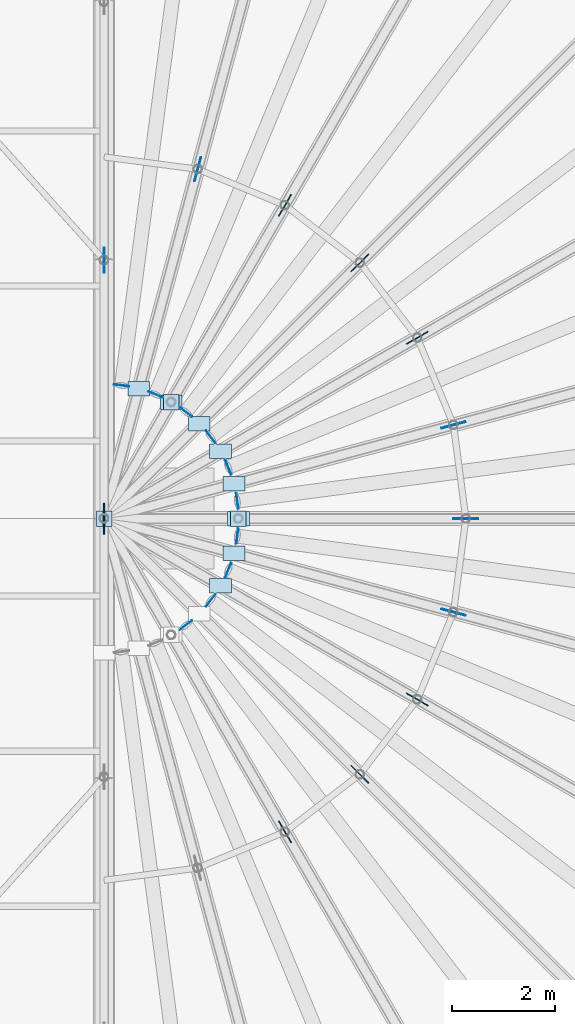
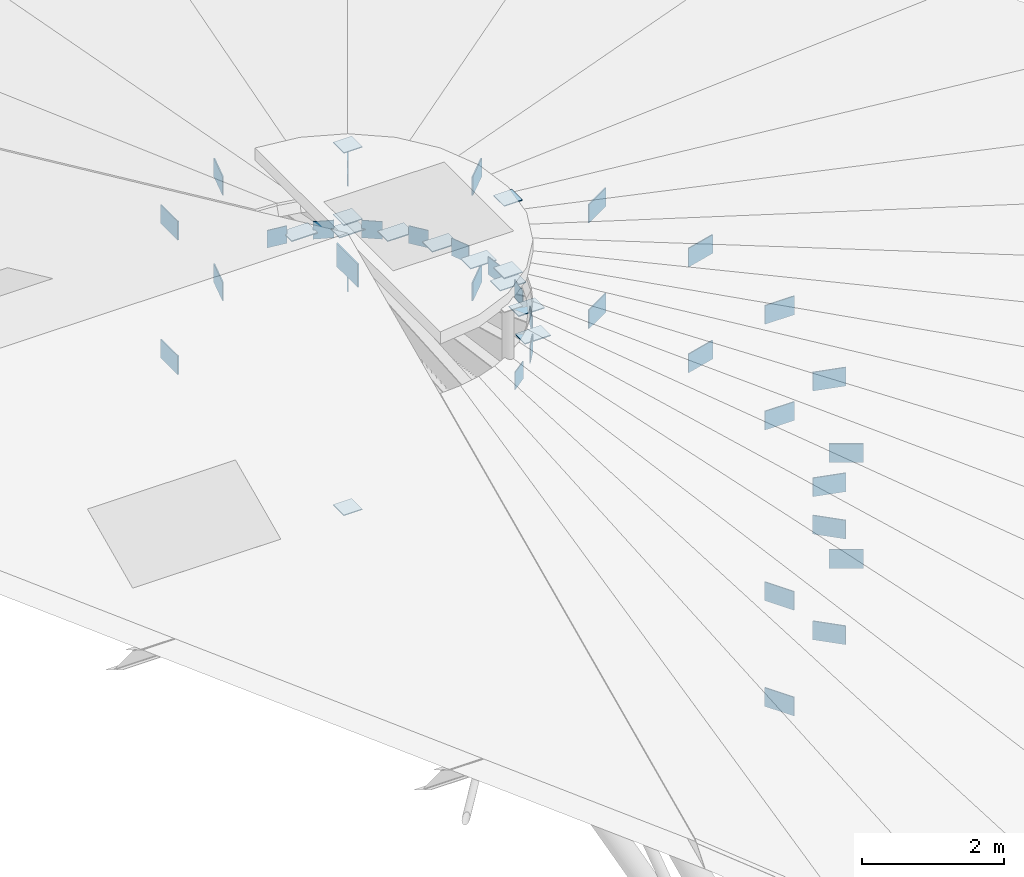
# One storey, part 93 of 107: 46 plates.
"""IFC4 building model written with IfcOpenShell, lengths in metres."""

from ifc_helpers import new_model, si_unit, derived_unit, direction, frame, origin, origin_2d, place, context, subcontext, project, spatial, rectangle, extrude, material, layer, layer_set, type_object, element, save


model = new_model("IFC4")

# Units and contexts
model_context = context("Model", 3, precision=1e-05, world=origin(), true_north=direction((0.0, 1.0)))
body_context = subcontext(model_context, "Body", "Model", "MODEL_VIEW")
ifc_project = project(units=[si_unit("LENGTHUNIT", "METRE"), si_unit("AREAUNIT", "SQUARE_METRE"), si_unit("VOLUMEUNIT", "CUBIC_METRE"), si_unit("PLANEANGLEUNIT", "RADIAN"), si_unit("MASSUNIT", "GRAM", prefix="KILO"), si_unit("THERMODYNAMICTEMPERATUREUNIT", "KELVIN"), si_unit("TIMEUNIT", "SECOND"), derived_unit("THERMALTRANSMITTANCEUNIT", [(si_unit("MASSUNIT", "GRAM", prefix="KILO"), 1), (si_unit("THERMODYNAMICTEMPERATUREUNIT", "KELVIN"), -1), (si_unit("TIMEUNIT", "SECOND"), -3)])], contexts=[model_context])

# Site, building, storey
site_placement = place(None, origin())
site = spatial("IfcSite", under=ifc_project, at=site_placement, CompositionType="ELEMENT")
building_placement = place(site_placement, origin())
building = spatial("IfcBuilding", under=site, at=building_placement, Name="Cambertide Market Hall", CompositionType="ELEMENT")
storey_placement = place(building_placement, frame((0.0, 0.0, 18.300048828125)))
storey = spatial("IfcBuildingStorey", under=building, at=storey_placement, Name="RF", CompositionType="ELEMENT", Elevation=18.300048828125)

# Plates
ifc_material_1 = material(Name="Steel S355", Category="steel")
ifc_layer_1 = layer(ifc_material_1, 0.013916015625, Name="Steel End Cap Plate EC-02")
ifc_layer_set_1 = layer_set([ifc_layer_1], Name="Steel S355")
plate_type_1 = type_object("IfcPlateType", Name="Steel End Cap Plate EC-02", PredefinedType="USERDEFINED", material=ifc_layer_set_1)
for number, where, z_axis, x_axis, name in (
    (1, (106.582763671875, 69.937255859375, -1.6962890625), (0.0, 0.0, 1.0), (0.608761429009, -0.793353340291, 0.0), "Crown Rafter End Cap Plate E-05"),
    (2, (107.062744140625, 70.417236328125, -1.6962890625), (0.0, 0.0, 1.0), (0.793353340291, -0.608761429009, 0.0), "Crown Rafter End Cap Plate E-07"),
    (3, (107.402099609375, 71.005126953125, -1.6962890625), (0.0, 0.0, 1.0), (0.923879532511, -0.382683432365, 0.0), "Crown Rafter End Cap Plate E-09"),
    (4, (107.57763671875, 71.66064453125, -1.6962890625), (0.0, 0.0, 1.0), (0.991444861374, -0.13052619222, 0.0), "Crown Rafter End Cap Plate E-11"),
    (5, (107.57763671875, 72.33935546875, -1.6962890625), (0.0, 0.0, 1.0), (0.991444861374, 0.13052619222, 0.0), "Crown Rafter End Cap Plate E-13"),
    (6, (107.402099609375, 72.994873046875, -1.6962890625), (0.0, 0.0, 1.0), (0.923879532511, 0.382683432365, 0.0), "Crown Rafter End Cap Plate E-15"),
    (7, (107.062744140625, 73.582763671875, -1.6962890625), (0.0, 0.0, 1.0), (0.793353340291, 0.608761429009, 0.0), "Crown Rafter End Cap Plate E-17"),
    (8, (106.582763671875, 74.062744140625, -1.6962890625), (0.0, 0.0, 1.0), (0.608761429009, 0.793353340291, 0.0), "Crown Rafter End Cap Plate E-19"),
    (9, (105.994873046875, 74.402099609375, -1.6962890625), (0.0, 0.0, 1.0), (0.382683432365, 0.923879532511, 0.0), "Crown Rafter End Cap Plate E-21"),
    (10, (105.33935546875, 74.57763671875, -1.6962890625), (0.0, 0.0, 1.0), (0.13052619222, 0.991444861374, 0.0), "Crown Rafter End Cap Plate E-23"),
):
    element("IfcPlate", number, at=place(storey_placement, frame(where, z_axis=z_axis, x_axis=x_axis)), inside=storey, type_object=plate_type_1, Name=name, ObjectType="END CAP PLATE", PredefinedType="USERDEFINED", context=body_context, shape_type="SweptSolid", body=[
        extrude(rectangle(XDim=0.013916015625, YDim=0.300048828125, at=origin_2d()), origin(), (0.0, 0.0, 1.0), 0.300048828125),
    ])
for number, where, z_axis, x_axis, name in (
    (11, (105.0, 72.0, -4.5068359375), (0.0, 0.0, 1.0), (1.0, 0.0, 0.0), "High-Bay Brace Connection End Cap Plate EC-BRN-087"),
    (12, (107.60009765625, 72.0, -1.35302734375), (0.0, 0.0, 1.0), (1.0, 0.0, 0.0), "High-Bay Brace Connection End Cap Plate EC-BRN-229"),
    (13, (107.60009765625, 72.0, -0.1171875), (0.0, 0.0, 1.0), (1.0, 0.0, 0.0), "High-Bay Brace Connection End Cap Plate EC-BRN-230"),
    (14, (106.300048828125, 74.251708984375, -1.35302734375), (0.0, 0.0, 1.0), (1.0, 0.0, 0.0), "High-Bay Brace Connection End Cap Plate EC-BRN-231"),
    (15, (106.300048828125, 74.251708984375, -0.1171875), (0.0, 0.0, 1.0), (1.0, 0.0, 0.0), "High-Bay Brace Connection End Cap Plate EC-BRN-232"),
):
    element("IfcPlate", number, at=place(storey_placement, frame(where, z_axis=z_axis, x_axis=x_axis)), inside=storey, type_object=plate_type_1, Name=name, ObjectType="END CAP PLATE", PredefinedType="USERDEFINED", context=body_context, shape_type="SweptSolid", body=[
        extrude(rectangle(XDim=0.300048828125, YDim=0.300048828125, at=origin_2d()), origin(), (0.0, 0.0, 1.0), 0.013916015625),
    ])
ifc_material_2 = material(Name="Steel S355", Category="steel")
ifc_layer_2 = layer(ifc_material_2, 0.01806640625, Name="Steel Gusset Plate GP-02")
ifc_layer_set_2 = layer_set([ifc_layer_2], Name="Steel S355")
plate_type_2 = type_object("IfcPlateType", Name="Steel Gusset Plate GP-02", PredefinedType="USERDEFINED", material=ifc_layer_set_2)
plate_1_placement = place(storey_placement, frame((105.0, 77.0, -2.81005859375), z_axis=(0.0, 0.0, 1.0), x_axis=(1.0, 0.0, 0.0)))
element("IfcPlate", 16, at=plate_1_placement, inside=storey, type_object=plate_type_2, Name="Arch Truss 8 Node Gusset Plate 5", ObjectType="GUSSET PLATE", PredefinedType="USERDEFINED", context=body_context, shape_type="SweptSolid", body=[
    extrude(rectangle(XDim=0.01806640625, YDim=0.47998046875, at=origin_2d()), origin(), (0.0, 0.0, 1.0), 0.320068359375),
])
for number, where, z_axis, x_axis, name in (
    (17, (105.0, 77.0, -5.115234375), (0.0, 0.0, 1.0), (0.0, 1.0, 0.0), "High-Bay Brace Connection Gusset Plate GP-BRN-082"),
    (18, (108.5, 65.937744140625, -5.54150390625), (0.0, 0.0, 1.0), (-0.5, 0.866025403784, 0.0), "High-Bay Brace Connection Gusset Plate GP-BRN-167"),
    (19, (108.5, 65.937744140625, -3.72998046875), (0.0, 0.0, 1.0), (-0.5, 0.866025403784, 0.0), "High-Bay Brace Connection Gusset Plate GP-BRN-169"),
    (20, (109.94970703125, 67.05029296875, -5.54150390625), (0.0, 0.0, 1.0), (-0.707106781187, 0.707106781187, 0.0), "High-Bay Brace Connection Gusset Plate GP-BRN-173"),
    (21, (109.94970703125, 67.05029296875, -3.72998046875), (0.0, 0.0, 1.0), (-0.707106781187, 0.707106781187, 0.0), "High-Bay Brace Connection Gusset Plate GP-BRN-175"),
    (22, (111.062255859375, 68.5, -5.54150390625), (0.0, 0.0, 1.0), (-0.866025403784, 0.5, 0.0), "High-Bay Brace Connection Gusset Plate GP-BRN-179"),
    (23, (111.062255859375, 68.5, -3.72998046875), (0.0, 0.0, 1.0), (-0.866025403784, 0.5, 0.0), "High-Bay Brace Connection Gusset Plate GP-BRN-181"),
    (24, (111.761474609375, 70.188232421875, -5.54150390625), (0.0, 0.0, 1.0), (-0.965925826289, 0.258819045103, 0.0), "High-Bay Brace Connection Gusset Plate GP-BRN-185"),
    (25, (111.761474609375, 70.188232421875, -3.72998046875), (0.0, 0.0, 1.0), (-0.965925826289, 0.258819045103, 0.0), "High-Bay Brace Connection Gusset Plate GP-BRN-187"),
    (26, (112.0, 72.0, -5.54150390625), (0.0, 0.0, 1.0), (-1.0, 0.0, 0.0), "High-Bay Brace Connection Gusset Plate GP-BRN-191"),
    (27, (112.0, 72.0, -3.72998046875), (0.0, 0.0, 1.0), (-1.0, 0.0, 0.0), "High-Bay Brace Connection Gusset Plate GP-BRN-193"),
    (28, (111.761474609375, 73.811767578125, -5.54150390625), (0.0, 0.0, 1.0), (-0.965925826289, -0.258819045103, 0.0), "High-Bay Brace Connection Gusset Plate GP-BRN-197"),
    (29, (111.761474609375, 73.811767578125, -3.72998046875), (0.0, 0.0, 1.0), (-0.965925826289, -0.258819045103, 0.0), "High-Bay Brace Connection Gusset Plate GP-BRN-199"),
    (30, (111.062255859375, 75.5, -5.54150390625), (0.0, 0.0, 1.0), (-0.866025403784, -0.5, 0.0), "High-Bay Brace Connection Gusset Plate GP-BRN-203"),
    (31, (111.062255859375, 75.5, -3.72998046875), (0.0, 0.0, 1.0), (-0.866025403784, -0.5, 0.0), "High-Bay Brace Connection Gusset Plate GP-BRN-205"),
    (32, (109.94970703125, 76.94970703125, -5.54150390625), (0.0, 0.0, 1.0), (-0.707106781187, -0.707106781187, 0.0), "High-Bay Brace Connection Gusset Plate GP-BRN-209"),
    (33, (109.94970703125, 76.94970703125, -3.72998046875), (0.0, 0.0, 1.0), (-0.707106781187, -0.707106781187, 0.0), "High-Bay Brace Connection Gusset Plate GP-BRN-211"),
    (34, (108.5, 78.062255859375, -5.54150390625), (0.0, 0.0, 1.0), (-0.5, -0.866025403784, 0.0), "High-Bay Brace Connection Gusset Plate GP-BRN-215"),
    (35, (108.5, 78.062255859375, -3.72998046875), (0.0, 0.0, 1.0), (-0.5, -0.866025403784, 0.0), "High-Bay Brace Connection Gusset Plate GP-BRN-217"),
    (36, (106.811767578125, 78.761474609375, -5.54150390625), (0.0, 0.0, 1.0), (-0.258819045103, -0.965925826289, 0.0), "High-Bay Brace Connection Gusset Plate GP-BRN-221"),
    (37, (106.811767578125, 78.761474609375, -3.72998046875), (0.0, 0.0, 1.0), (-0.258819045103, -0.965925826289, 0.0), "High-Bay Brace Connection Gusset Plate GP-BRN-223"),
):
    element("IfcPlate", number, at=place(storey_placement, frame(where, z_axis=z_axis, x_axis=x_axis)), inside=storey, type_object=plate_type_2, Name=name, ObjectType="GUSSET PLATE", PredefinedType="USERDEFINED", context=body_context, shape_type="SweptSolid", body=[
        extrude(rectangle(XDim=0.47998046875, YDim=0.01806640625, at=origin_2d()), origin(), (0.0, 0.0, 1.0), 0.320068359375),
    ])
ifc_material_3 = material(Name="Steel S355", Category="steel")
ifc_layer_3 = layer(ifc_material_3, 0.01611328125, Name="Steel Gusset Plate GP-03")
ifc_layer_set_3 = layer_set([ifc_layer_3], Name="Steel S355")
plate_type_3 = type_object("IfcPlateType", Name="Steel Gusset Plate GP-03", PredefinedType="USERDEFINED", material=ifc_layer_set_3)
for number, where, z_axis, x_axis, name in (
    (38, (107.251708984375, 70.699951171875, -1.55419921875), (0.0, 0.0, 1.0), (1.0, 0.0, 0.0), "Crown Ring Gusset Plate E-5"),
    (39, (107.511474609375, 71.3271484375, -1.55419921875), (0.0, 0.0, 1.0), (1.0, 0.0, 0.0), "Crown Ring Gusset Plate E-6"),
    (40, (107.60009765625, 72.0, -1.55419921875), (0.0, 0.0, 1.0), (1.0, 0.0, 0.0), "Crown Ring Gusset Plate E-7"),
    (41, (107.511474609375, 72.6728515625, -1.55419921875), (0.0, 0.0, 1.0), (1.0, 0.0, 0.0), "Crown Ring Gusset Plate E-8"),
    (42, (107.251708984375, 73.300048828125, -1.55419921875), (0.0, 0.0, 1.0), (1.0, 0.0, 0.0), "Crown Ring Gusset Plate E-9"),
    (43, (106.83837890625, 73.83837890625, -1.55419921875), (0.0, 0.0, 1.0), (1.0, 0.0, 0.0), "Crown Ring Gusset Plate E-10"),
    (44, (106.300048828125, 74.251708984375, -1.55419921875), (0.0, 0.0, 1.0), (1.0, 0.0, 0.0), "Crown Ring Gusset Plate E-11"),
    (45, (105.6728515625, 74.511474609375, -1.55419921875), (0.0, 0.0, 1.0), (1.0, 0.0, 0.0), "Crown Ring Gusset Plate E-12"),
):
    element("IfcPlate", number, at=place(storey_placement, frame(where, z_axis=z_axis, x_axis=x_axis)), inside=storey, type_object=plate_type_3, Name=name, ObjectType="GUSSET PLATE", PredefinedType="USERDEFINED", context=body_context, shape_type="SweptSolid", body=[
        extrude(rectangle(XDim=0.419921875, YDim=0.280029296875, at=origin_2d()), origin(), (0.0, 0.0, 1.0), 0.01611328125),
    ])
ifc_material_4 = material(Name="Steel S355", Category="steel")
ifc_layer_4 = layer(ifc_material_4, 0.02490234375, Name="Steel Gusset Plate GP-04")
ifc_layer_set_4 = layer_set([ifc_layer_4], Name="Steel S355")
plate_type_4 = type_object("IfcPlateType", Name="Steel Gusset Plate GP-04", PredefinedType="USERDEFINED", material=ifc_layer_set_4)
plate_2_placement = place(storey_placement, frame((105.0, 72.0, -0.550048828125), z_axis=(0.0, 0.0, 1.0), x_axis=(1.0, 0.0, 0.0)))
element("IfcPlate", 46, at=plate_2_placement, inside=storey, type_object=plate_type_4, Name="Arch Truss 8 Node Gusset Plate 4", ObjectType="GUSSET PLATE", PredefinedType="USERDEFINED", context=body_context, shape_type="SweptSolid", body=[
    extrude(rectangle(XDim=0.02490234375, YDim=0.60009765625, at=origin_2d()), origin(), (0.0, 0.0, 1.0), 0.39990234375),
])

save(model, "model.ifc")
